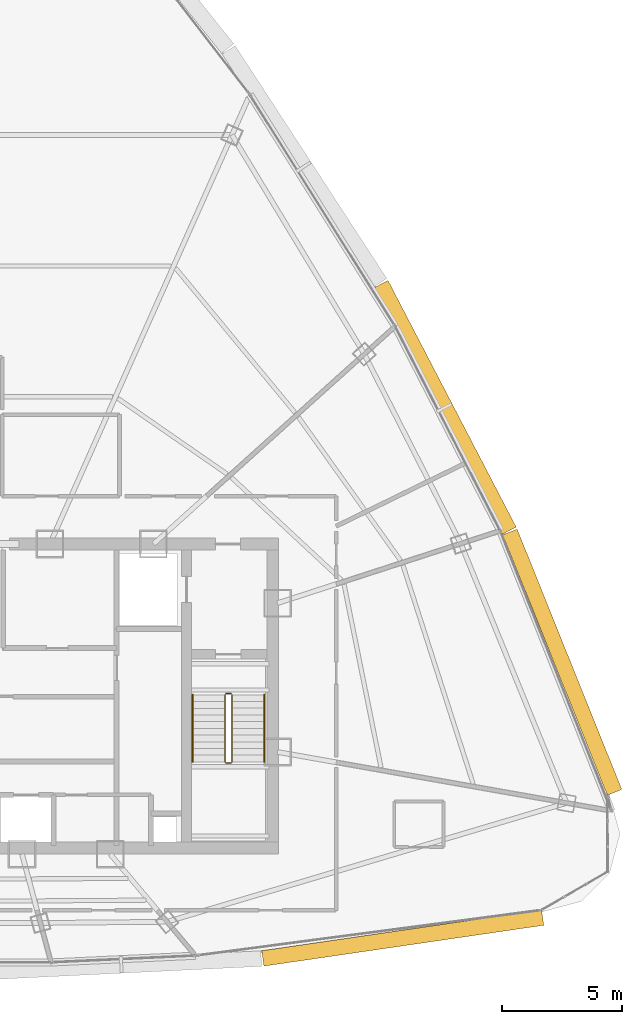
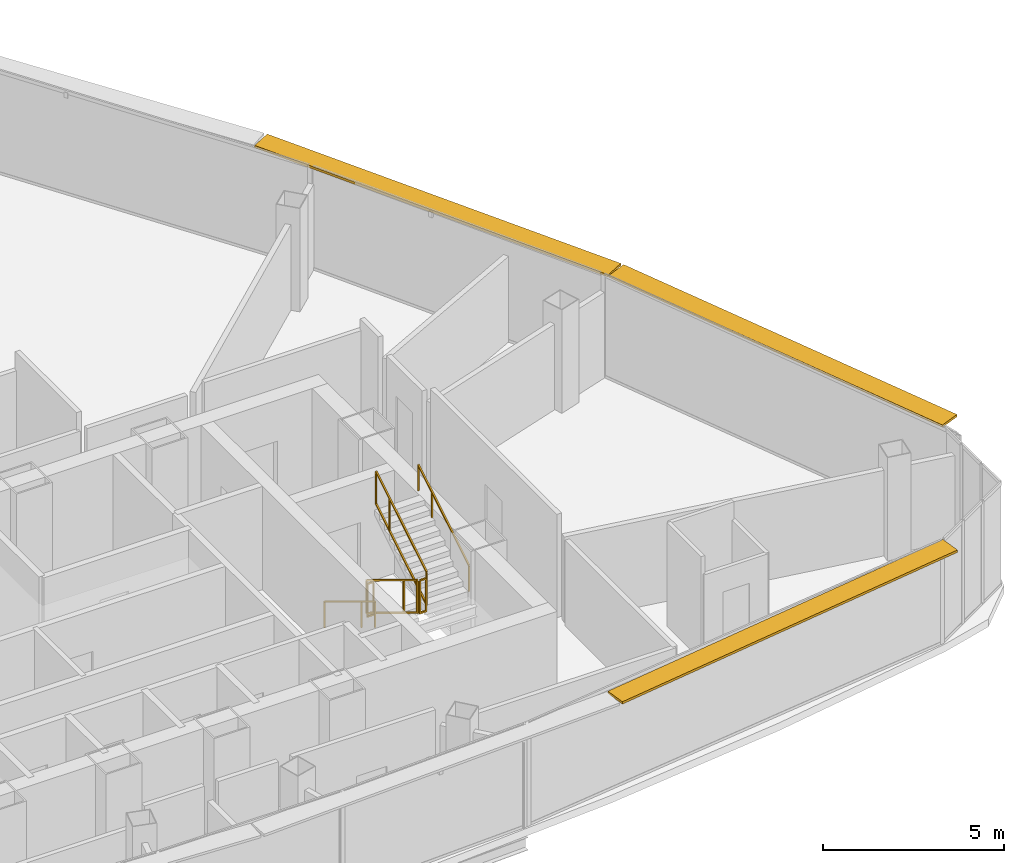
# One storey, part 28 of 29: 6 railings, 3 shading devices.
"""IFC4 building model written with IfcOpenShell, lengths in metres."""

from ifc_helpers import new_model, si_unit, direction, frame, origin, origin_2d, place, context, subcontext, project, spatial, rectangle, extrude, source, transform, mapped, material, layer, layer_set, type_object, element, save


model = new_model("IFC4")

# Units and contexts
model_context = context("Model", 3, precision=1e-05, world=origin(), true_north=direction((0.0, 1.0)))
body_context = subcontext(model_context, "Body", "Model", "MODEL_VIEW")
ifc_project = project(units=[si_unit("LENGTHUNIT", "METRE"), si_unit("AREAUNIT", "SQUARE_METRE"), si_unit("VOLUMEUNIT", "CUBIC_METRE"), si_unit("PLANEANGLEUNIT", "RADIAN"), si_unit("MASSUNIT", "GRAM", prefix="KILO"), si_unit("THERMODYNAMICTEMPERATUREUNIT", "KELVIN"), si_unit("POWERUNIT", "WATT")], contexts=[model_context])

# Site, building, storey
site_placement = place(None, origin())
site = spatial("IfcSite", under=ifc_project, at=site_placement, CompositionType="ELEMENT")
building_placement = place(site_placement, origin())
building = spatial("IfcBuilding", under=site, at=building_placement, Name="Yunzhuo Pagoda Commons", CompositionType="ELEMENT")
storey_placement = place(building_placement, frame((0.0, 0.0, 359.260009765625)))
storey = spatial("IfcBuildingStorey", under=building, at=storey_placement, Name="L90", CompositionType="ELEMENT", Elevation=359.260009765625)

# Railings
ifc_material = material(Name="Anodized aluminium 6063-T6", Category="aluminium")
railing_type_1 = type_object("IfcRailingType", Name="GR-ST2 Stair Well Guardrail 1160", PredefinedType="GUARDRAIL", material=ifc_material)
railing_1_placement = place(storey_placement, frame((58.199951171875, 33.89990234375, 0.17041015625)))
element("IfcRailing", 1, at=railing_1_placement, inside=storey, type_object=railing_type_1, Name="L90 ST2 stair guard 1", PredefinedType="GUARDRAIL", context=body_context, shape_type="SweptSolid", body=[
    extrude(rectangle(XDim=0.048095703125, YDim=0.048095703125, at=origin_2d()), frame((0.0, 0.0, 1.1259765625), z_axis=(0.0, -0.854149651119, 0.520027281489), x_axis=(1.0, 0.0, 0.0)), (0.0, 0.0, 1.0), 3.27783203125),
    extrude(rectangle(XDim=0.048095703125, YDim=0.048095703125, at=origin_2d()), frame((0.0, 0.0, 0.02392578125), z_axis=(0.0, -0.854149651119, 0.520027281489), x_axis=(1.0, 0.0, 0.0)), (0.0, 0.0, 1.0), 3.27783203125),
    extrude(rectangle(XDim=0.0419921875, YDim=0.0419921875, at=origin_2d()), origin(), (0.0, 0.0, 1.0), 1.101806640625),
    extrude(rectangle(XDim=0.0419921875, YDim=0.0419921875, at=origin_2d()), frame((0.0, -2.050048828125, 1.248046875)), (0.0, 0.0, 1.0), 1.101806640625),
    extrude(rectangle(XDim=0.0419921875, YDim=0.0419921875, at=origin_2d()), frame((0.0, -2.7998046875, 1.70458984375)), (0.0, 0.0, 1.0), 1.101806640625),
])
railing_2_placement = place(storey_placement, frame((58.25, 31.050048828125, 1.875)))
element("IfcRailing", 2, at=railing_2_placement, inside=storey, type_object=railing_type_1, Name="L90 ST2 stair guard 2", PredefinedType="GUARDRAIL", context=body_context, shape_type="SweptSolid", body=[
    extrude(rectangle(XDim=0.048095703125, YDim=0.048095703125, at=origin_2d()), frame((0.0, 0.0, 1.1259765625), z_axis=(1.0, 0.0, 0.0), x_axis=(0.0, 1.0, 0.0)), (0.0, 0.0, 1.0), 0.199951171875),
    extrude(rectangle(XDim=0.048095703125, YDim=0.048095703125, at=origin_2d()), frame((0.0, 0.0, 0.02392578125), z_axis=(1.0, 0.0, 0.0), x_axis=(0.0, 1.0, 0.0)), (0.0, 0.0, 1.0), 0.199951171875),
    extrude(rectangle(XDim=0.0419921875, YDim=0.0419921875, at=origin_2d()), origin(), (0.0, 0.0, 1.0), 1.101806640625),
    extrude(rectangle(XDim=0.0419921875, YDim=0.0419921875, at=origin_2d()), frame((0.199951171875, 0.0, 0.0)), (0.0, 0.0, 1.0), 1.101806640625),
])
railing_3_placement = place(storey_placement, frame((58.5, 31.10009765625, 2.04541015625)))
element("IfcRailing", 3, at=railing_3_placement, inside=storey, type_object=railing_type_1, Name="L90 ST2 stair guard 3", PredefinedType="GUARDRAIL", context=body_context, shape_type="SweptSolid", body=[
    extrude(rectangle(XDim=0.048095703125, YDim=0.048095703125, at=origin_2d()), frame((0.0, 0.0, 1.1259765625), z_axis=(0.0, 0.854149651119, 0.520027281489), x_axis=(-1.0, 0.0, 0.0)), (0.0, 0.0, 1.0), 3.27783203125),
    extrude(rectangle(XDim=0.048095703125, YDim=0.048095703125, at=origin_2d()), frame((0.0, 0.0, 0.02392578125), z_axis=(0.0, 0.854149651119, 0.520027281489), x_axis=(-1.0, 0.0, 0.0)), (0.0, 0.0, 1.0), 3.27783203125),
    extrude(rectangle(XDim=0.0419921875, YDim=0.0419921875, at=origin_2d()), origin(), (0.0, 0.0, 1.0), 1.101806640625),
    extrude(rectangle(XDim=0.0419921875, YDim=0.0419921875, at=origin_2d()), frame((0.0, 2.050048828125, 1.248046875)), (0.0, 0.0, 1.0), 1.101806640625),
    extrude(rectangle(XDim=0.0419921875, YDim=0.0419921875, at=origin_2d()), frame((0.0, 2.7998046875, 1.70458984375)), (0.0, 0.0, 1.0), 1.101806640625),
])
railing_4_placement = place(storey_placement, frame((58.25, 33.949951171875, 0.0)))
element("IfcRailing", 4, at=railing_4_placement, inside=storey, type_object=railing_type_1, Name="L90 ST2 stair guard 4", PredefinedType="GUARDRAIL", context=body_context, shape_type="SweptSolid", body=[
    extrude(rectangle(XDim=0.048095703125, YDim=0.048095703125, at=origin_2d()), frame((0.0, 0.0, 1.1259765625), z_axis=(1.0, 0.0, 0.0), x_axis=(0.0, 1.0, 0.0)), (0.0, 0.0, 1.0), 0.199951171875),
    extrude(rectangle(XDim=0.048095703125, YDim=0.048095703125, at=origin_2d()), frame((0.0, 0.0, 0.02392578125), z_axis=(1.0, 0.0, 0.0), x_axis=(0.0, 1.0, 0.0)), (0.0, 0.0, 1.0), 0.199951171875),
    extrude(rectangle(XDim=0.0419921875, YDim=0.0419921875, at=origin_2d()), origin(), (0.0, 0.0, 1.0), 1.101806640625),
    extrude(rectangle(XDim=0.0419921875, YDim=0.0419921875, at=origin_2d()), frame((0.199951171875, 0.0, 0.0)), (0.0, 0.0, 1.0), 1.101806640625),
])
railing_type_2 = type_object("IfcRailingType", Name="HR-ST2 Stair Handrail 900", PredefinedType="HANDRAIL", material=ifc_material)
railing_5_placement = place(storey_placement, frame((56.85009765625, 33.89990234375, 0.17041015625)))
element("IfcRailing", 5, at=railing_5_placement, inside=storey, type_object=railing_type_2, Name="L90 ST2 stair handrail 1", PredefinedType="HANDRAIL", context=body_context, shape_type="SweptSolid", body=[
    extrude(rectangle(XDim=0.048095703125, YDim=0.048095703125, at=origin_2d()), frame((0.0, 0.0, 0.8759765625), z_axis=(0.0, -0.854149651119, 0.520027281489), x_axis=(1.0, 0.0, 0.0)), (0.0, 0.0, 1.0), 3.27783203125),
    extrude(rectangle(XDim=0.0419921875, YDim=0.0419921875, at=origin_2d()), origin(), (0.0, 0.0, 1.0), 0.851806640625),
    extrude(rectangle(XDim=0.0419921875, YDim=0.0419921875, at=origin_2d()), frame((0.0, -2.050048828125, 1.248046875)), (0.0, 0.0, 1.0), 0.851806640625),
    extrude(rectangle(XDim=0.0419921875, YDim=0.0419921875, at=origin_2d()), frame((0.0, -2.7998046875, 1.70458984375)), (0.0, 0.0, 1.0), 0.851806640625),
])
railing_6_placement = place(storey_placement, frame((59.85009765625, 31.10009765625, 2.04541015625)))
element("IfcRailing", 6, at=railing_6_placement, inside=storey, type_object=railing_type_2, Name="L90 ST2 stair handrail 2", PredefinedType="HANDRAIL", context=body_context, shape_type="SweptSolid", body=[
    extrude(rectangle(XDim=0.048095703125, YDim=0.048095703125, at=origin_2d()), frame((0.0, 0.0, 0.8759765625), z_axis=(0.0, 0.854149651119, 0.520027281489), x_axis=(-1.0, 0.0, 0.0)), (0.0, 0.0, 1.0), 3.27783203125),
    extrude(rectangle(XDim=0.0419921875, YDim=0.0419921875, at=origin_2d()), origin(), (0.0, 0.0, 1.0), 0.851806640625),
    extrude(rectangle(XDim=0.0419921875, YDim=0.0419921875, at=origin_2d()), frame((0.0, 2.050048828125, 1.248046875)), (0.0, 0.0, 1.0), 0.851806640625),
    extrude(rectangle(XDim=0.0419921875, YDim=0.0419921875, at=origin_2d()), frame((0.0, 2.7998046875, 1.70458984375)), (0.0, 0.0, 1.0), 0.851806640625),
])

# Shading devices
ifc_layer = layer(ifc_material, 0.080078125)
ifc_layer_set = layer_set([ifc_layer], Name="Anodized aluminium 6063-T6")
shading_device_type = type_object("IfcShadingDeviceType", Name="SH-SUN1 Pagoda Horizontal Sunshade Eave 650", PredefinedType="USERDEFINED", material=ifc_layer_set)
shared_shape_1 = source(origin(), body_context, "Body", "SweptSolid", [
    extrude(rectangle(XDim=11.81396484375, YDim=0.64990234375, at=origin_2d()), origin(), (0.0, 0.0, 1.0), 0.080078125),
])
shading_device_1_placement = place(storey_placement, frame((65.62939453125, 23.743896484375, 3.409912109375), z_axis=(0.0, 0.0, 1.0), x_axis=(0.989510666697, 0.144459823108, 0.0)))
element("IfcShadingDevice", 7, at=shading_device_1_placement, inside=storey, type_object=shading_device_type, Name="L90 horizontal pagoda sunshade eave F1.4", ObjectType="SUNSHADE", PredefinedType="USERDEFINED", context=body_context, shape_type="MappedRepresentation", body=[
    mapped(shared_shape_1, transform((0.0, 0.0, 0.0), scale=1.0)),
])
shared_shape_2 = source(origin(), body_context, "Body", "SweptSolid", [
    extrude(rectangle(XDim=11.718994140625, YDim=0.64990234375, at=origin_2d()), origin(), (0.0, 0.0, 1.0), 0.080078125),
])
shading_device_2_placement = place(storey_placement, frame((72.291259765625, 35.262451171875, 3.409912109375), z_axis=(0.0, 0.0, 1.0), x_axis=(-0.372987782576, 0.927836253899, 0.0)))
element("IfcShadingDevice", 8, at=shading_device_2_placement, inside=storey, type_object=shading_device_type, Name="L90 horizontal pagoda sunshade eave F2.1", ObjectType="SUNSHADE", PredefinedType="USERDEFINED", context=body_context, shape_type="MappedRepresentation", body=[
    mapped(shared_shape_2, transform((0.0, 0.0, 0.0), scale=1.0)),
])
shared_shape_3 = source(origin(), body_context, "Body", "SweptSolid", [
    extrude(rectangle(XDim=11.607666015625, YDim=0.64990234375, at=origin_2d()), origin(), (0.0, 0.0, 1.0), 0.080078125),
])
shading_device_3_placement = place(storey_placement, frame((67.402587890625, 45.90625, 3.409912109375), z_axis=(0.0, 0.0, 1.0), x_axis=(-0.461206683033, 0.88729273384, 0.0)))
element("IfcShadingDevice", 9, at=shading_device_3_placement, inside=storey, type_object=shading_device_type, Name="L90 horizontal pagoda sunshade eave F2.2", ObjectType="SUNSHADE", PredefinedType="USERDEFINED", context=body_context, shape_type="MappedRepresentation", body=[
    mapped(shared_shape_3, transform((0.0, 0.0, 0.0), scale=1.0)),
])

save(model, "model.ifc")
